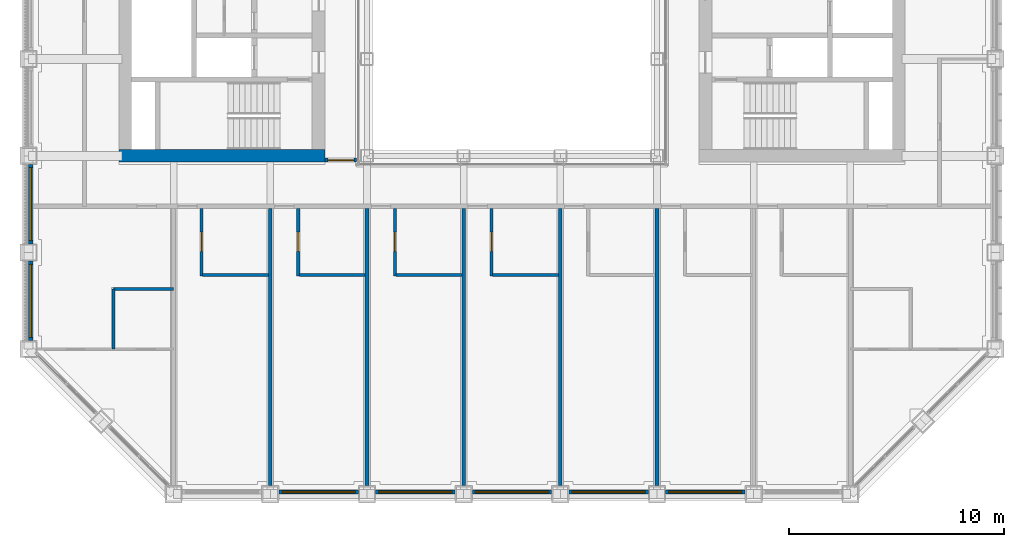
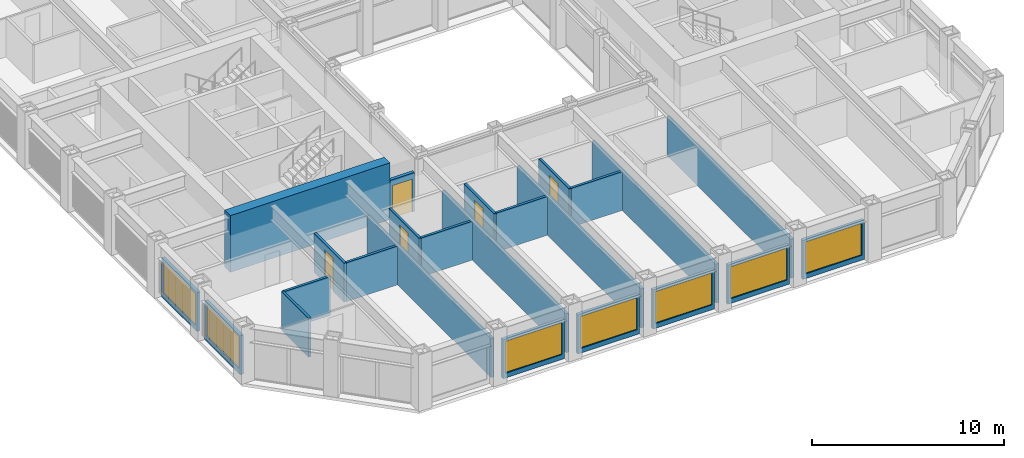
# One storey, part 10 of 18: 24 walls, 7 windows, 5 doors, 12 openings.
"""IFC4 building model written with IfcOpenShell, lengths in metres."""

from ifc_helpers import new_model, si_unit, direction, frame, frame_2d, origin, place, context, subcontext, project, spatial, rectangle, extrude, material, layer, layer_set, type_object, element, fill, save


model = new_model("IFC4")

# Units and contexts
model_context = context("Model", 3, precision=1e-05, world=origin(), true_north=direction((0.0, 1.0)))
body_context = subcontext(model_context, "Body", "Model", "MODEL_VIEW")
ifc_project = project(units=[si_unit("LENGTHUNIT", "METRE"), si_unit("AREAUNIT", "SQUARE_METRE"), si_unit("VOLUMEUNIT", "CUBIC_METRE"), si_unit("PLANEANGLEUNIT", "RADIAN"), si_unit("MASSUNIT", "GRAM", prefix="KILO")], contexts=[model_context])

# Site, building, storey
site_placement = place(None, origin())
site = spatial("IfcSite", under=ifc_project, at=site_placement, CompositionType="ELEMENT")
building_placement = place(site_placement, origin())
building = spatial("IfcBuilding", under=site, at=building_placement, Name="Msasa Ring Tower", CompositionType="ELEMENT")
storey_placement = place(building_placement, frame((0.0, 0.0, 122.0)))
storey = spatial("IfcBuildingStorey", under=building, at=storey_placement, Name="L31", CompositionType="ELEMENT", Elevation=122.0)

# Wall
ifc_material_1 = material(Name="Concrete C60/75", Category="concrete")
ifc_layer_1 = layer(ifc_material_1, 0.60009765625)
ifc_layer_set_1 = layer_set([ifc_layer_1], Name="CW2 CORE WALL 600")
wall_type_1 = type_object("IfcWallType", Name="CW2 CORE WALL 600", PredefinedType="SHEAR", material=ifc_layer_set_1)
wall_1_placement = place(storey_placement, frame((-8.699951171875, -6.75, 0.0), z_axis=(0.0, 0.0, 1.0), x_axis=(-1.0, 0.0, 0.0)))
element("IfcWall", 1, at=wall_1_placement, inside=storey, type_object=wall_type_1, Name="W core wall S L31", PredefinedType="SHEAR", context=body_context, shape_type="SweptSolid", body=[
    extrude(rectangle(XDim=9.60009765625, YDim=0.60009765625, at=frame_2d((4.800048828125, 0.0))), origin(), (0.0, 0.0, 1.0), 3.60009765625),
])

# Wall, opening, window
ifc_material_2 = material(Name="Terracotta rainscreen on blockwork", Category="masonry")
ifc_layer_2 = layer(ifc_material_2, 0.199951171875)
ifc_layer_set_2 = layer_set([ifc_layer_2], Name="FW1 TERRACOTTA-LINED INFILL BAY WALL 200")
wall_type_2 = type_object("IfcWallType", Name="FW1 TERRACOTTA-LINED INFILL BAY WALL 200", PredefinedType="SOLIDWALL", material=ifc_layer_set_2)
wall_2_placement = place(storey_placement, frame((-10.844970703125, -22.39990234375, 0.0), z_axis=(0.0, 0.0, 1.0), x_axis=(1.0, 0.0, 0.0)))
wall_2 = element("IfcWall", 2, at=wall_2_placement, inside=storey, type_object=wall_type_2, Name="Infill bay wall S L31 01", PredefinedType="SOLIDWALL", context=body_context, shape_type="SweptSolid", body=[
    extrude(rectangle(XDim=3.68994140625, YDim=0.199951171875, at=frame_2d((1.844970703125, 0.0))), origin(), (0.0, 0.0, 1.0), 2.47900390625),
])
opening_1_placement = place(wall_2_placement, frame((0.14501953125, 0.0, 0.300048828125)))
opening_1 = element("IfcOpeningElement", 3, at=opening_1_placement, cuts=wall_2, Name="Opening WN2", PredefinedType="OPENING", context=body_context, shape_type="SweptSolid", body=[
    extrude(rectangle(XDim=3.39990234375, YDim=2.029052734375, at=frame_2d((1.699951171875, 1.0146484375))), frame((0.0, 0.10986328125, 0.0), z_axis=(0.0, -1.0, 0.0), x_axis=(1.0, 0.0, 0.0)), (0.0, 0.0, 1.0), 0.219970703125),
])
ifc_material_3 = material(Name="Aluminium frame with clear glass", Category="aluminium")
window_type = type_object("IfcWindowType", Name="WN2 GUEST ROOM WINDOW 3400x2029", PartitioningType="SINGLE_PANEL", PredefinedType="WINDOW", material=ifc_material_3)
window_1_placement = place(opening_1_placement, origin())
window_1 = element("IfcWindow", 4, at=window_1_placement, inside=storey, type_object=window_type, Name="Window S L31 01", OverallHeight=2.029052734375, OverallWidth=3.39990234375, PartitioningType="SINGLE_PANEL", PredefinedType="WINDOW", context=body_context, shape_type="SweptSolid", body=[
    extrude(rectangle(XDim=3.39990234375, YDim=2.029052734375, at=frame_2d((1.699951171875, 1.0146484375))), frame((0.0, 0.030029296875, 0.0), z_axis=(0.0, -1.0, 0.0), x_axis=(1.0, 0.0, 0.0)), (0.0, 0.0, 1.0), 0.06005859375),
])
fill(opening_1, window_1)

wall_3_placement = place(storey_placement, frame((-6.344970703125, -22.39990234375, 0.0), z_axis=(0.0, 0.0, 1.0), x_axis=(1.0, 0.0, 0.0)))
wall_3 = element("IfcWall", 5, at=wall_3_placement, inside=storey, type_object=wall_type_2, Name="Infill bay wall S L31 02", PredefinedType="SOLIDWALL", context=body_context, shape_type="SweptSolid", body=[
    extrude(rectangle(XDim=3.68994140625, YDim=0.199951171875, at=frame_2d((1.844970703125, 0.0))), origin(), (0.0, 0.0, 1.0), 2.47900390625),
])
opening_2_placement = place(wall_3_placement, frame((0.14501953125, 0.0, 0.300048828125)))
opening_2 = element("IfcOpeningElement", 6, at=opening_2_placement, cuts=wall_3, Name="Opening WN2", PredefinedType="OPENING", context=body_context, shape_type="SweptSolid", body=[
    extrude(rectangle(XDim=3.39990234375, YDim=2.029052734375, at=frame_2d((1.699951171875, 1.0146484375))), frame((0.0, 0.10986328125, 0.0), z_axis=(0.0, -1.0, 0.0), x_axis=(1.0, 0.0, 0.0)), (0.0, 0.0, 1.0), 0.219970703125),
])
window_2_placement = place(opening_2_placement, origin())
window_2 = element("IfcWindow", 7, at=window_2_placement, inside=storey, type_object=window_type, Name="Window S L31 02", OverallHeight=2.029052734375, OverallWidth=3.39990234375, PartitioningType="SINGLE_PANEL", PredefinedType="WINDOW", context=body_context, shape_type="SweptSolid", body=[
    extrude(rectangle(XDim=3.39990234375, YDim=2.029052734375, at=frame_2d((1.699951171875, 1.0146484375))), frame((0.0, 0.030029296875, 0.0), z_axis=(0.0, -1.0, 0.0), x_axis=(1.0, 0.0, 0.0)), (0.0, 0.0, 1.0), 0.06005859375),
])
fill(opening_2, window_2)

wall_4_placement = place(storey_placement, frame((-1.844970703125, -22.39990234375, 0.0), z_axis=(0.0, 0.0, 1.0), x_axis=(1.0, 0.0, 0.0)))
wall_4 = element("IfcWall", 8, at=wall_4_placement, inside=storey, type_object=wall_type_2, Name="Infill bay wall S L31 03", PredefinedType="SOLIDWALL", context=body_context, shape_type="SweptSolid", body=[
    extrude(rectangle(XDim=3.68994140625, YDim=0.199951171875, at=frame_2d((1.844970703125, 0.0))), origin(), (0.0, 0.0, 1.0), 2.47900390625),
])
opening_3_placement = place(wall_4_placement, frame((0.14501953125, 0.0, 0.300048828125)))
opening_3 = element("IfcOpeningElement", 9, at=opening_3_placement, cuts=wall_4, Name="Opening WN2", PredefinedType="OPENING", context=body_context, shape_type="SweptSolid", body=[
    extrude(rectangle(XDim=3.39990234375, YDim=2.029052734375, at=frame_2d((1.699951171875, 1.0146484375))), frame((0.0, 0.10986328125, 0.0), z_axis=(0.0, -1.0, 0.0), x_axis=(1.0, 0.0, 0.0)), (0.0, 0.0, 1.0), 0.219970703125),
])
window_3_placement = place(opening_3_placement, origin())
window_3 = element("IfcWindow", 10, at=window_3_placement, inside=storey, type_object=window_type, Name="Window S L31 03", OverallHeight=2.029052734375, OverallWidth=3.39990234375, PartitioningType="SINGLE_PANEL", PredefinedType="WINDOW", context=body_context, shape_type="SweptSolid", body=[
    extrude(rectangle(XDim=3.39990234375, YDim=2.029052734375, at=frame_2d((1.699951171875, 1.0146484375))), frame((0.0, 0.030029296875, 0.0), z_axis=(0.0, -1.0, 0.0), x_axis=(1.0, 0.0, 0.0)), (0.0, 0.0, 1.0), 0.06005859375),
])
fill(opening_3, window_3)

wall_5_placement = place(storey_placement, frame((2.655029296875, -22.39990234375, 0.0), z_axis=(0.0, 0.0, 1.0), x_axis=(1.0, 0.0, 0.0)))
wall_5 = element("IfcWall", 11, at=wall_5_placement, inside=storey, type_object=wall_type_2, Name="Infill bay wall S L31 04", PredefinedType="SOLIDWALL", context=body_context, shape_type="SweptSolid", body=[
    extrude(rectangle(XDim=3.68994140625, YDim=0.199951171875, at=frame_2d((1.844970703125, 0.0))), origin(), (0.0, 0.0, 1.0), 2.47900390625),
])
opening_4_placement = place(wall_5_placement, frame((0.14501953125, 0.0, 0.300048828125)))
opening_4 = element("IfcOpeningElement", 12, at=opening_4_placement, cuts=wall_5, Name="Opening WN2", PredefinedType="OPENING", context=body_context, shape_type="SweptSolid", body=[
    extrude(rectangle(XDim=3.39990234375, YDim=2.029052734375, at=frame_2d((1.699951171875, 1.0146484375))), frame((0.0, 0.10986328125, 0.0), z_axis=(0.0, -1.0, 0.0), x_axis=(1.0, 0.0, 0.0)), (0.0, 0.0, 1.0), 0.219970703125),
])
window_4_placement = place(opening_4_placement, origin())
window_4 = element("IfcWindow", 13, at=window_4_placement, inside=storey, type_object=window_type, Name="Window S L31 04", OverallHeight=2.029052734375, OverallWidth=3.39990234375, PartitioningType="SINGLE_PANEL", PredefinedType="WINDOW", context=body_context, shape_type="SweptSolid", body=[
    extrude(rectangle(XDim=3.39990234375, YDim=2.029052734375, at=frame_2d((1.699951171875, 1.0146484375))), frame((0.0, 0.030029296875, 0.0), z_axis=(0.0, -1.0, 0.0), x_axis=(1.0, 0.0, 0.0)), (0.0, 0.0, 1.0), 0.06005859375),
])
fill(opening_4, window_4)

wall_6_placement = place(storey_placement, frame((7.155029296875, -22.39990234375, 0.0), z_axis=(0.0, 0.0, 1.0), x_axis=(1.0, 0.0, 0.0)))
wall_6 = element("IfcWall", 14, at=wall_6_placement, inside=storey, type_object=wall_type_2, Name="Infill bay wall S L31 05", PredefinedType="SOLIDWALL", context=body_context, shape_type="SweptSolid", body=[
    extrude(rectangle(XDim=3.68994140625, YDim=0.199951171875, at=frame_2d((1.844970703125, 0.0))), origin(), (0.0, 0.0, 1.0), 2.47900390625),
])
opening_5_placement = place(wall_6_placement, frame((0.14501953125, 0.0, 0.300048828125)))
opening_5 = element("IfcOpeningElement", 15, at=opening_5_placement, cuts=wall_6, Name="Opening WN2", PredefinedType="OPENING", context=body_context, shape_type="SweptSolid", body=[
    extrude(rectangle(XDim=3.39990234375, YDim=2.029052734375, at=frame_2d((1.699951171875, 1.0146484375))), frame((0.0, 0.10986328125, 0.0), z_axis=(0.0, -1.0, 0.0), x_axis=(1.0, 0.0, 0.0)), (0.0, 0.0, 1.0), 0.219970703125),
])
window_5_placement = place(opening_5_placement, origin())
window_5 = element("IfcWindow", 16, at=window_5_placement, inside=storey, type_object=window_type, Name="Window S L31 05", OverallHeight=2.029052734375, OverallWidth=3.39990234375, PartitioningType="SINGLE_PANEL", PredefinedType="WINDOW", context=body_context, shape_type="SweptSolid", body=[
    extrude(rectangle(XDim=3.39990234375, YDim=2.029052734375, at=frame_2d((1.699951171875, 1.0146484375))), frame((0.0, 0.030029296875, 0.0), z_axis=(0.0, -1.0, 0.0), x_axis=(1.0, 0.0, 0.0)), (0.0, 0.0, 1.0), 0.06005859375),
])
fill(opening_5, window_5)

wall_7_placement = place(storey_placement, frame((-22.39990234375, -15.344970703125, 0.0), z_axis=(0.0, 0.0, 1.0), x_axis=(0.0, 1.0, 0.0)))
wall_7 = element("IfcWall", 17, at=wall_7_placement, inside=storey, type_object=wall_type_2, Name="Infill bay wall W L31 27", PredefinedType="SOLIDWALL", context=body_context, shape_type="SweptSolid", body=[
    extrude(rectangle(XDim=3.68994140625, YDim=0.199951171875, at=frame_2d((1.844970703125, 0.0))), origin(), (0.0, 0.0, 1.0), 2.47900390625),
])
opening_6_placement = place(wall_7_placement, frame((0.14501953125, 0.0, 0.300048828125)))
opening_6 = element("IfcOpeningElement", 18, at=opening_6_placement, cuts=wall_7, Name="Opening WN2", PredefinedType="OPENING", context=body_context, shape_type="SweptSolid", body=[
    extrude(rectangle(XDim=3.39990234375, YDim=2.029052734375, at=frame_2d((1.699951171875, 1.0146484375))), frame((0.0, 0.10986328125, 0.0), z_axis=(0.0, -1.0, 0.0), x_axis=(1.0, 0.0, 0.0)), (0.0, 0.0, 1.0), 0.219970703125),
])
window_6_placement = place(opening_6_placement, origin())
window_6 = element("IfcWindow", 19, at=window_6_placement, inside=storey, type_object=window_type, Name="Window W L31 27", OverallHeight=2.029052734375, OverallWidth=3.39990234375, PartitioningType="SINGLE_PANEL", PredefinedType="WINDOW", context=body_context, shape_type="SweptSolid", body=[
    extrude(rectangle(XDim=3.39990234375, YDim=2.029052734375, at=frame_2d((1.699951171875, 1.0146484375))), frame((0.0, 0.030029296875, 0.0), z_axis=(0.0, -1.0, 0.0), x_axis=(1.0, 0.0, 0.0)), (0.0, 0.0, 1.0), 0.06005859375),
])
fill(opening_6, window_6)

wall_8_placement = place(storey_placement, frame((-22.39990234375, -10.844970703125, 0.0), z_axis=(0.0, 0.0, 1.0), x_axis=(0.0, 1.0, 0.0)))
wall_8 = element("IfcWall", 20, at=wall_8_placement, inside=storey, type_object=wall_type_2, Name="Infill bay wall W L31 28", PredefinedType="SOLIDWALL", context=body_context, shape_type="SweptSolid", body=[
    extrude(rectangle(XDim=3.68994140625, YDim=0.199951171875, at=frame_2d((1.844970703125, 0.0))), origin(), (0.0, 0.0, 1.0), 2.47900390625),
])
opening_7_placement = place(wall_8_placement, frame((0.14501953125, 0.0, 0.300048828125)))
opening_7 = element("IfcOpeningElement", 21, at=opening_7_placement, cuts=wall_8, Name="Opening WN2", PredefinedType="OPENING", context=body_context, shape_type="SweptSolid", body=[
    extrude(rectangle(XDim=3.39990234375, YDim=2.029052734375, at=frame_2d((1.699951171875, 1.0146484375))), frame((0.0, 0.10986328125, 0.0), z_axis=(0.0, -1.0, 0.0), x_axis=(1.0, 0.0, 0.0)), (0.0, 0.0, 1.0), 0.219970703125),
])
window_7_placement = place(opening_7_placement, origin())
window_7 = element("IfcWindow", 22, at=window_7_placement, inside=storey, type_object=window_type, Name="Window W L31 28", OverallHeight=2.029052734375, OverallWidth=3.39990234375, PartitioningType="SINGLE_PANEL", PredefinedType="WINDOW", context=body_context, shape_type="SweptSolid", body=[
    extrude(rectangle(XDim=3.39990234375, YDim=2.029052734375, at=frame_2d((1.699951171875, 1.0146484375))), frame((0.0, 0.030029296875, 0.0), z_axis=(0.0, -1.0, 0.0), x_axis=(1.0, 0.0, 0.0)), (0.0, 0.0, 1.0), 0.06005859375),
])
fill(opening_7, window_7)

# Wall, opening, door
ifc_material_4 = material(Name="Concrete blockwork", Category="masonry")
ifc_layer_3 = layer(ifc_material_4, 0.199951171875)
ifc_layer_set_3 = layer_set([ifc_layer_3], Name="PT1 CORRIDOR WALL 200")
wall_type_3 = type_object("IfcWallType", Name="PT1 CORRIDOR WALL 200", PredefinedType="PARTITIONING", material=ifc_layer_set_3)
wall_9_placement = place(storey_placement, frame((-8.699951171875, -6.949951171875, 0.0), z_axis=(0.0, 0.0, 1.0), x_axis=(1.0, 0.0, 0.0)))
wall_9 = element("IfcWall", 23, at=wall_9_placement, inside=storey, type_object=wall_type_3, Name="Corridor wall L31-SDWS", PredefinedType="PARTITIONING", context=body_context, shape_type="SweptSolid", body=[
    extrude(rectangle(XDim=1.469970703125, YDim=0.199951171875, at=frame_2d((0.73486328125, 0.0))), origin(), (0.0, 0.0, 1.0), 2.473388671875),
])
opening_8_placement = place(wall_9_placement, frame((0.135009765625, 0.0, 0.0)))
opening_8 = element("IfcOpeningElement", 24, at=opening_8_placement, cuts=wall_9, Name="Opening HA-038", PredefinedType="OPENING", context=body_context, shape_type="SweptSolid", body=[
    extrude(rectangle(XDim=1.199951171875, YDim=2.10009765625, at=frame_2d((0.60009765625, 1.050048828125))), frame((0.0, 0.10986328125, 0.0), z_axis=(0.0, -1.0, 0.0), x_axis=(1.0, 0.0, 0.0)), (0.0, 0.0, 1.0), 0.219970703125),
])
ifc_material_5 = material(Name="Timber door leaf in a steel frame", Category="steel")
door_type_1 = type_object("IfcDoorType", Name="D25 CORRIDOR PAIR OF SMOKE DOORS 1200x2100", OperationType="DOUBLE_DOOR_DOUBLE_SWING", PredefinedType="DOOR", material=ifc_material_5)
door_1_placement = place(opening_8_placement, origin())
door_1 = element("IfcDoor", 25, at=door_1_placement, inside=storey, type_object=door_type_1, Name="Door L31-SDWS", OperationType="DOUBLE_DOOR_DOUBLE_SWING", OverallHeight=2.10009765625, OverallWidth=1.199951171875, PredefinedType="DOOR", context=body_context, shape_type="SweptSolid", body=[
    extrude(rectangle(XDim=1.199951171875, YDim=2.10009765625, at=frame_2d((0.60009765625, 1.050048828125))), frame((0.0, 0.02490234375, 0.0), z_axis=(0.0, -1.0, 0.0), x_axis=(1.0, 0.0, 0.0)), (0.0, 0.0, 1.0), 0.050048828125),
])
fill(opening_8, door_1)

ifc_material_6 = material(Name="Moisture-resistant board on steel studs with a concealed cistern and pipe void, tiled", Category="steel")
ifc_layer_4 = layer(ifc_material_6, 0.14990234375)
ifc_layer_set_4 = layer_set([ifc_layer_4], Name="PT4 BATHROOM WET WALL 150")
wall_type_4 = type_object("IfcWallType", Name="PT4 BATHROOM WET WALL 150", PredefinedType="PARTITIONING", material=ifc_layer_set_4)
wall_10_placement = place(storey_placement, frame((-14.449951171875, -12.35009765625, 0.0), z_axis=(0.0, 0.0, 1.0), x_axis=(0.0, 1.0, 0.0)))
wall_10 = element("IfcWall", 26, at=wall_10_placement, inside=storey, type_object=wall_type_4, Name="Partition L31-GS00BX", PredefinedType="PARTITIONING", context=body_context, shape_type="SweptSolid", body=[
    extrude(rectangle(XDim=3.150146484375, YDim=0.14990234375, at=frame_2d((1.5751953125, 0.0))), origin(), (0.0, 0.0, 1.0), 2.473388671875),
])
opening_9_placement = place(wall_10_placement, frame((1.14990234375, 0.0, 0.0)))
opening_9 = element("IfcOpeningElement", 27, at=opening_9_placement, cuts=wall_10, Name="Opening HA-048", PredefinedType="OPENING", context=body_context, shape_type="SweptSolid", body=[
    extrude(rectangle(XDim=0.89990234375, YDim=2.10009765625, at=frame_2d((0.449951171875, 1.050048828125))), frame((0.0, 0.0849609375, 0.0), z_axis=(0.0, -1.0, 0.0), x_axis=(1.0, 0.0, 0.0)), (0.0, 0.0, 1.0), 0.169921875),
])
ifc_material_7 = material(Name="Timber door leaf in a steel frame", Category="steel")
door_type_2 = type_object("IfcDoorType", Name="D3 BATHROOM DOOR 900x2100", OperationType="SINGLE_SWING_LEFT", PredefinedType="DOOR", material=ifc_material_7)
door_2_placement = place(opening_9_placement, origin())
door_2 = element("IfcDoor", 28, at=door_2_placement, inside=storey, type_object=door_type_2, Name="Door L31-GS00B", OperationType="SINGLE_SWING_LEFT", OverallHeight=2.10009765625, OverallWidth=0.89990234375, PredefinedType="DOOR", context=body_context, shape_type="SweptSolid", body=[
    extrude(rectangle(XDim=0.89990234375, YDim=2.10009765625, at=frame_2d((0.449951171875, 1.050048828125))), frame((0.0, 0.02490234375, 0.0), z_axis=(0.0, -1.0, 0.0), x_axis=(1.0, 0.0, 0.0)), (0.0, 0.0, 1.0), 0.050048828125),
])
fill(opening_9, door_2)

# Wall
wall_11_placement = place(storey_placement, frame((-14.39990234375, -12.300048828125, 0.0), z_axis=(0.0, 0.0, 1.0), x_axis=(1.0, 0.0, 0.0)))
element("IfcWall", 29, at=wall_11_placement, inside=storey, type_object=wall_type_4, Name="Partition L31-GS00BY", PredefinedType="PARTITIONING", context=body_context, shape_type="SweptSolid", body=[
    extrude(rectangle(XDim=3.0625, YDim=0.14990234375, at=frame_2d((1.53125, 0.0))), origin(), (0.0, 0.0, 1.0), 2.473388671875),
])

# Wall, opening, door
wall_12_placement = place(storey_placement, frame((-9.949951171875, -12.35009765625, 0.0), z_axis=(0.0, 0.0, 1.0), x_axis=(0.0, 1.0, 0.0)))
wall_12 = element("IfcWall", 30, at=wall_12_placement, inside=storey, type_object=wall_type_4, Name="Partition L31-GS01BX", PredefinedType="PARTITIONING", context=body_context, shape_type="SweptSolid", body=[
    extrude(rectangle(XDim=3.150146484375, YDim=0.14990234375, at=frame_2d((1.5751953125, 0.0))), origin(), (0.0, 0.0, 1.0), 2.473388671875),
])
opening_10_placement = place(wall_12_placement, frame((1.14990234375, 0.0, 0.0)))
opening_10 = element("IfcOpeningElement", 31, at=opening_10_placement, cuts=wall_12, Name="Opening HA-049", PredefinedType="OPENING", context=body_context, shape_type="SweptSolid", body=[
    extrude(rectangle(XDim=0.89990234375, YDim=2.10009765625, at=frame_2d((0.449951171875, 1.050048828125))), frame((0.0, 0.0849609375, 0.0), z_axis=(0.0, -1.0, 0.0), x_axis=(1.0, 0.0, 0.0)), (0.0, 0.0, 1.0), 0.169921875),
])
door_3_placement = place(opening_10_placement, origin())
door_3 = element("IfcDoor", 32, at=door_3_placement, inside=storey, type_object=door_type_2, Name="Door L31-GS01B", OperationType="SINGLE_SWING_LEFT", OverallHeight=2.10009765625, OverallWidth=0.89990234375, PredefinedType="DOOR", context=body_context, shape_type="SweptSolid", body=[
    extrude(rectangle(XDim=0.89990234375, YDim=2.10009765625, at=frame_2d((0.449951171875, 1.050048828125))), frame((0.0, 0.02490234375, 0.0), z_axis=(0.0, -1.0, 0.0), x_axis=(1.0, 0.0, 0.0)), (0.0, 0.0, 1.0), 0.050048828125),
])
fill(opening_10, door_3)

# Wall
wall_13_placement = place(storey_placement, frame((-9.89990234375, -12.300048828125, 0.0), z_axis=(0.0, 0.0, 1.0), x_axis=(1.0, 0.0, 0.0)))
element("IfcWall", 33, at=wall_13_placement, inside=storey, type_object=wall_type_4, Name="Partition L31-GS01BY", PredefinedType="PARTITIONING", context=body_context, shape_type="SweptSolid", body=[
    extrude(rectangle(XDim=3.0625, YDim=0.14990234375, at=frame_2d((1.53125, 0.0))), origin(), (0.0, 0.0, 1.0), 2.473388671875),
])

# Wall, opening, door
wall_14_placement = place(storey_placement, frame((-5.449951171875, -12.35009765625, 0.0), z_axis=(0.0, 0.0, 1.0), x_axis=(0.0, 1.0, 0.0)))
wall_14 = element("IfcWall", 34, at=wall_14_placement, inside=storey, type_object=wall_type_4, Name="Partition L31-GS02BX", PredefinedType="PARTITIONING", context=body_context, shape_type="SweptSolid", body=[
    extrude(rectangle(XDim=3.150146484375, YDim=0.14990234375, at=frame_2d((1.5751953125, 0.0))), origin(), (0.0, 0.0, 1.0), 2.473388671875),
])
opening_11_placement = place(wall_14_placement, frame((1.14990234375, 0.0, 0.0)))
opening_11 = element("IfcOpeningElement", 35, at=opening_11_placement, cuts=wall_14, Name="Opening HA-050", PredefinedType="OPENING", context=body_context, shape_type="SweptSolid", body=[
    extrude(rectangle(XDim=0.89990234375, YDim=2.10009765625, at=frame_2d((0.449951171875, 1.050048828125))), frame((0.0, 0.0849609375, 0.0), z_axis=(0.0, -1.0, 0.0), x_axis=(1.0, 0.0, 0.0)), (0.0, 0.0, 1.0), 0.169921875),
])
door_4_placement = place(opening_11_placement, origin())
door_4 = element("IfcDoor", 36, at=door_4_placement, inside=storey, type_object=door_type_2, Name="Door L31-GS02B", OperationType="SINGLE_SWING_LEFT", OverallHeight=2.10009765625, OverallWidth=0.89990234375, PredefinedType="DOOR", context=body_context, shape_type="SweptSolid", body=[
    extrude(rectangle(XDim=0.89990234375, YDim=2.10009765625, at=frame_2d((0.449951171875, 1.050048828125))), frame((0.0, 0.02490234375, 0.0), z_axis=(0.0, -1.0, 0.0), x_axis=(1.0, 0.0, 0.0)), (0.0, 0.0, 1.0), 0.050048828125),
])
fill(opening_11, door_4)

# Wall
wall_15_placement = place(storey_placement, frame((-5.39990234375, -12.300048828125, 0.0), z_axis=(0.0, 0.0, 1.0), x_axis=(1.0, 0.0, 0.0)))
element("IfcWall", 37, at=wall_15_placement, inside=storey, type_object=wall_type_4, Name="Partition L31-GS02BY", PredefinedType="PARTITIONING", context=body_context, shape_type="SweptSolid", body=[
    extrude(rectangle(XDim=3.0625, YDim=0.14990234375, at=frame_2d((1.53125, 0.0))), origin(), (0.0, 0.0, 1.0), 2.473388671875),
])

# Wall, opening, door
wall_16_placement = place(storey_placement, frame((-0.949951171875, -12.35009765625, 0.0), z_axis=(0.0, 0.0, 1.0), x_axis=(0.0, 1.0, 0.0)))
wall_16 = element("IfcWall", 38, at=wall_16_placement, inside=storey, type_object=wall_type_4, Name="Partition L31-GS03BX", PredefinedType="PARTITIONING", context=body_context, shape_type="SweptSolid", body=[
    extrude(rectangle(XDim=3.150146484375, YDim=0.14990234375, at=frame_2d((1.5751953125, 0.0))), origin(), (0.0, 0.0, 1.0), 2.473388671875),
])
opening_12_placement = place(wall_16_placement, frame((1.14990234375, 0.0, 0.0)))
opening_12 = element("IfcOpeningElement", 39, at=opening_12_placement, cuts=wall_16, Name="Opening HA-051", PredefinedType="OPENING", context=body_context, shape_type="SweptSolid", body=[
    extrude(rectangle(XDim=0.89990234375, YDim=2.10009765625, at=frame_2d((0.449951171875, 1.050048828125))), frame((0.0, 0.0849609375, 0.0), z_axis=(0.0, -1.0, 0.0), x_axis=(1.0, 0.0, 0.0)), (0.0, 0.0, 1.0), 0.169921875),
])
door_5_placement = place(opening_12_placement, origin())
door_5 = element("IfcDoor", 40, at=door_5_placement, inside=storey, type_object=door_type_2, Name="Door L31-GS03B", OperationType="SINGLE_SWING_LEFT", OverallHeight=2.10009765625, OverallWidth=0.89990234375, PredefinedType="DOOR", context=body_context, shape_type="SweptSolid", body=[
    extrude(rectangle(XDim=0.89990234375, YDim=2.10009765625, at=frame_2d((0.449951171875, 1.050048828125))), frame((0.0, 0.02490234375, 0.0), z_axis=(0.0, -1.0, 0.0), x_axis=(1.0, 0.0, 0.0)), (0.0, 0.0, 1.0), 0.050048828125),
])
fill(opening_12, door_5)

# Walls
wall_17_placement = place(storey_placement, frame((-0.89990234375, -12.300048828125, 0.0), z_axis=(0.0, 0.0, 1.0), x_axis=(1.0, 0.0, 0.0)))
element("IfcWall", 41, at=wall_17_placement, inside=storey, type_object=wall_type_4, Name="Partition L31-GS03BY", PredefinedType="PARTITIONING", context=body_context, shape_type="SweptSolid", body=[
    extrude(rectangle(XDim=3.0625, YDim=0.14990234375, at=frame_2d((1.53125, 0.0))), origin(), (0.0, 0.0, 1.0), 2.473388671875),
])
for number, where, z_axis, x_axis, name in (
    (42, (-18.550048828125, -15.75, 0.0), (0.0, 0.0, 1.0), (0.0, 1.0, 0.0), "Partition L31-CSSWBX"),
    (43, (-18.550048828125, -12.949951171875, 0.0), (0.0, 0.0, 1.0), (1.0, 0.0, 0.0), "Partition L31-CSSWBY"),
):
    element("IfcWall", number, at=place(storey_placement, frame(where, z_axis=z_axis, x_axis=x_axis)), inside=storey, type_object=wall_type_4, Name=name, PredefinedType="PARTITIONING", context=body_context, shape_type="SweptSolid", body=[
        extrude(rectangle(XDim=2.800048828125, YDim=0.14990234375, at=frame_2d((1.39990234375, 0.0))), origin(), (0.0, 0.0, 1.0), 2.473388671875),
    ])
ifc_material_8 = material(Name="Twin steel studs, two layers of acoustic board each face, mineral wool", Category="steel")
ifc_layer_5 = layer(ifc_material_8, 0.175048828125)
ifc_layer_set_5 = layer_set([ifc_layer_5], Name="PT5 GUEST ROOM SEPARATING WALL 175")
wall_type_5 = type_object("IfcWallType", Name="PT5 GUEST ROOM SEPARATING WALL 175", PredefinedType="PARTITIONING", material=ifc_layer_set_5)
for number, where, z_axis, x_axis, name in (
    (44, (-11.25, -22.10009765625, 0.0), (0.0, 0.0, 1.0), (0.0, 1.0, 0.0), "Partition L31-PWS-11.25"),
    (45, (-6.75, -22.10009765625, 0.0), (0.0, 0.0, 1.0), (0.0, 1.0, 0.0), "Partition L31-PWS-6.75"),
    (46, (-2.25, -22.10009765625, 0.0), (0.0, 0.0, 1.0), (0.0, 1.0, 0.0), "Partition L31-PWS-2.25"),
    (47, (2.25, -22.10009765625, 0.0), (0.0, 0.0, 1.0), (0.0, 1.0, 0.0), "Partition L31-PWS+2.25"),
    (48, (6.75, -22.10009765625, 0.0), (0.0, 0.0, 1.0), (0.0, 1.0, 0.0), "Partition L31-PWS+6.75"),
):
    element("IfcWall", number, at=place(storey_placement, frame(where, z_axis=z_axis, x_axis=x_axis)), inside=storey, type_object=wall_type_5, Name=name, PredefinedType="PARTITIONING", context=body_context, shape_type="SweptSolid", body=[
        extrude(rectangle(XDim=12.900146484375, YDim=0.175048828125, at=frame_2d((6.4501953125, 0.0))), origin(), (0.0, 0.0, 1.0), 2.473388671875),
    ])

save(model, "model.ifc")
